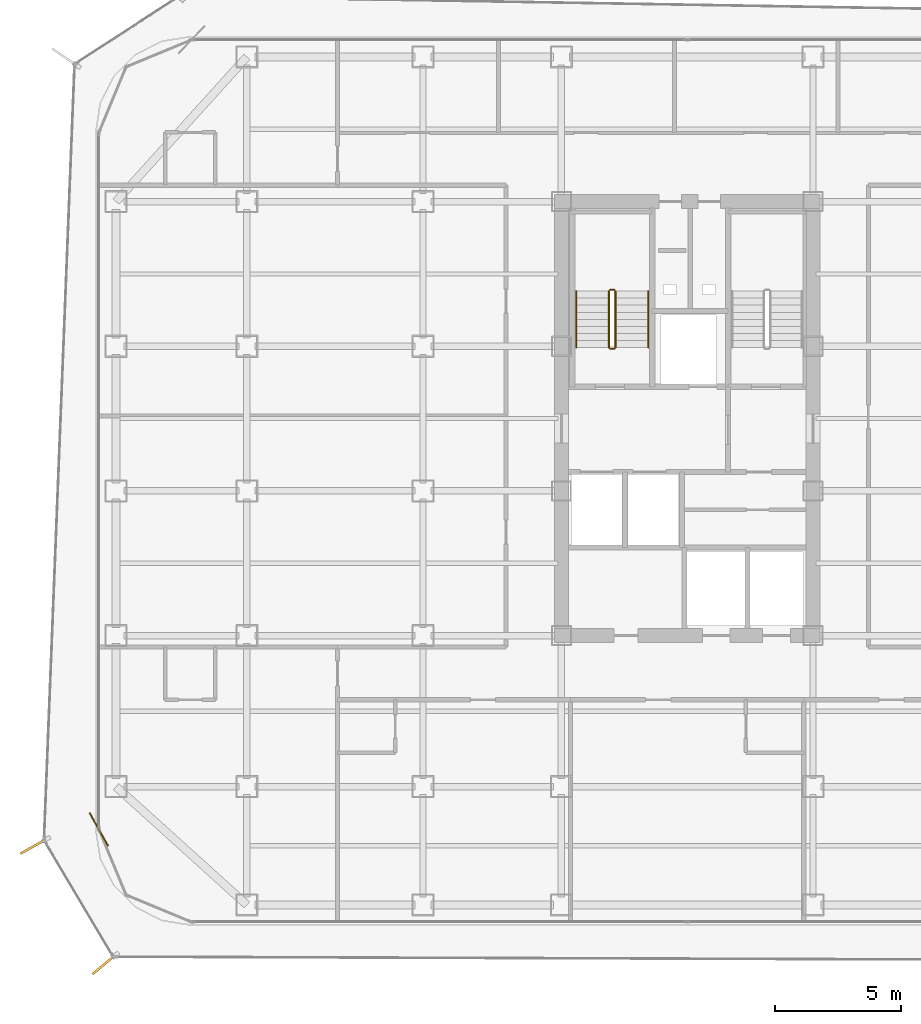
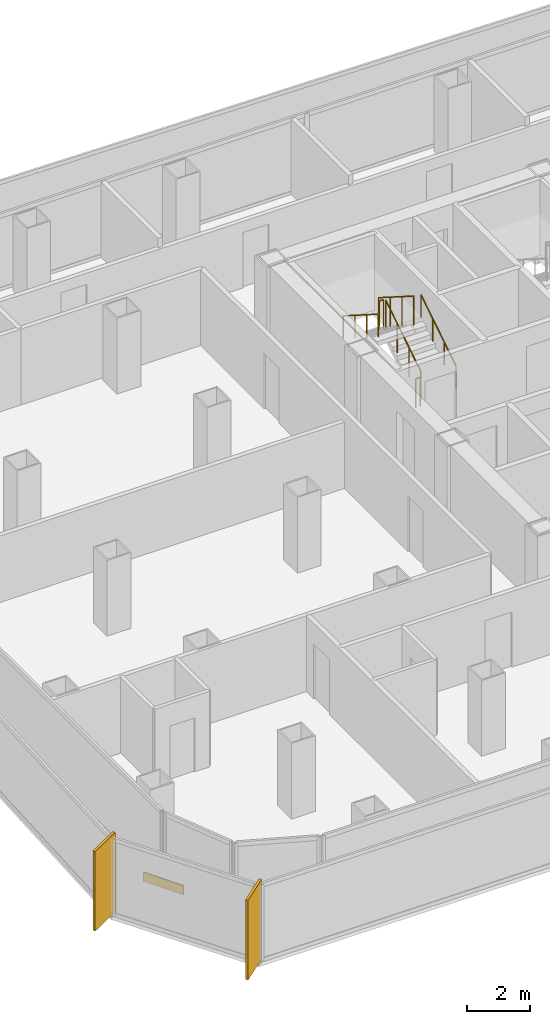
# One storey, part 19 of 21: 6 railings, 2 shading devices, 1 covering.
"""IFC4 building model written with IfcOpenShell, lengths in metres."""

from ifc_helpers import new_model, si_unit, direction, frame, origin, origin_2d, place, context, subcontext, project, spatial, rectangle, circle, extrude, source, transform, mapped, material, layer, layer_set, type_object, element, save


model = new_model("IFC4")

# Units and contexts
model_context = context("Model", 3, precision=1e-05, world=origin(), true_north=direction((0.0, 1.0)))
body_context = subcontext(model_context, "Body", "Model", "MODEL_VIEW")
ifc_project = project(units=[si_unit("LENGTHUNIT", "METRE"), si_unit("AREAUNIT", "SQUARE_METRE"), si_unit("VOLUMEUNIT", "CUBIC_METRE"), si_unit("PLANEANGLEUNIT", "RADIAN"), si_unit("MASSUNIT", "GRAM", prefix="KILO")], contexts=[model_context])

# Site, building, storey
site_placement = place(None, origin())
site = spatial("IfcSite", under=ifc_project, at=site_placement, CompositionType="ELEMENT")
building_placement = place(site_placement, origin())
building = spatial("IfcBuilding", under=site, at=building_placement, Name="Kolveth Station Tower", CompositionType="ELEMENT")
storey_placement = place(building_placement, frame((0.0, 0.0, 124.699951171875)))
storey = spatial("IfcBuildingStorey", under=building, at=storey_placement, Name="L34", CompositionType="ELEMENT", Elevation=124.699951171875)

# Railings
ifc_material_1 = material(Name="Painted Steel S355 balustrade", Category="steel")
railing_type_1 = type_object("IfcRailingType", Name="Guard_GR2", PredefinedType="BALUSTRADE", material=ifc_material_1)
railing_1_placement = place(storey_placement, frame((20.64990234375, 22.949951171875, 0.177734375)))
element("IfcRailing", 1, at=railing_1_placement, inside=storey, type_object=railing_type_1, Name="L34 ST1 stair guard 1", PredefinedType="BALUSTRADE", context=body_context, shape_type="SweptSolid", body=[
    extrude(circle(Radius=0.02392578125, at=origin_2d()), frame((0.0, 0.0, 1.1259765625), z_axis=(0.0, 0.84418770128, 0.536047689118), x_axis=(-1.0, 0.0, 0.0)), (0.0, 0.0, 1.0), 2.6533203125),
    extrude(circle(Radius=0.02099609375, at=origin_2d()), origin(), (0.0, 0.0, 1.0), 1.101806640625),
    extrude(circle(Radius=0.02099609375, at=origin_2d()), frame((0.0, 0.74658203125, 0.47412109375)), (0.0, 0.0, 1.0), 1.101806640625),
    extrude(circle(Radius=0.02099609375, at=origin_2d()), frame((0.0, 1.493408203125, 0.9482421875)), (0.0, 0.0, 1.0), 1.101806640625),
    extrude(circle(Radius=0.02099609375, at=origin_2d()), frame((0.0, 2.239990234375, 1.42236328125)), (0.0, 0.0, 1.0), 1.101806640625),
])
railing_2_placement = place(storey_placement, frame((20.60009765625, 25.239990234375, 1.60009765625)))
element("IfcRailing", 2, at=railing_2_placement, inside=storey, type_object=railing_type_1, Name="L34 ST1 stair guard 2", PredefinedType="BALUSTRADE", context=body_context, shape_type="SweptSolid", body=[
    extrude(circle(Radius=0.02392578125, at=origin_2d()), frame((0.0, 0.0, 1.1259765625), z_axis=(-1.0, 0.0, 0.0), x_axis=(0.0, -1.0, 0.0)), (0.0, 0.0, 1.0), 0.16015625),
    extrude(circle(Radius=0.02099609375, at=origin_2d()), origin(), (0.0, 0.0, 1.0), 1.101806640625),
    extrude(circle(Radius=0.02099609375, at=origin_2d()), frame((-0.16015625, 0.0, 0.0)), (0.0, 0.0, 1.0), 1.101806640625),
])
railing_3_placement = place(storey_placement, frame((20.389892578125, 25.18994140625, 1.77783203125)))
element("IfcRailing", 3, at=railing_3_placement, inside=storey, type_object=railing_type_1, Name="L34 ST1 stair guard 3", PredefinedType="BALUSTRADE", context=body_context, shape_type="SweptSolid", body=[
    extrude(circle(Radius=0.02392578125, at=origin_2d()), frame((0.0, 0.0, 1.1259765625), z_axis=(0.0, -0.8442293374, 0.53598211339), x_axis=(1.0, 0.0, 0.0)), (0.0, 0.0, 1.0), 2.6533203125),
    extrude(circle(Radius=0.02099609375, at=origin_2d()), origin(), (0.0, 0.0, 1.0), 1.101806640625),
    extrude(circle(Radius=0.02099609375, at=origin_2d()), frame((0.0, -0.74658203125, 0.47412109375)), (0.0, 0.0, 1.0), 1.101806640625),
    extrude(circle(Radius=0.02099609375, at=origin_2d()), frame((0.0, -1.493408203125, 0.947998046875)), (0.0, 0.0, 1.0), 1.101806640625),
    extrude(circle(Radius=0.02099609375, at=origin_2d()), frame((0.0, -2.239990234375, 1.422119140625)), (0.0, 0.0, 1.0), 1.101806640625),
])
railing_4_placement = place(storey_placement, frame((20.60009765625, 22.89990234375, 0.0)))
element("IfcRailing", 4, at=railing_4_placement, inside=storey, type_object=railing_type_1, Name="L34 ST1 stair guard 4", PredefinedType="BALUSTRADE", context=body_context, shape_type="SweptSolid", body=[
    extrude(circle(Radius=0.02392578125, at=origin_2d()), frame((0.0, 0.0, 1.1259765625), z_axis=(-1.0, 0.0, 0.0), x_axis=(0.0, -1.0, 0.0)), (0.0, 0.0, 1.0), 0.16015625),
    extrude(circle(Radius=0.02099609375, at=origin_2d()), origin(), (0.0, 0.0, 1.0), 1.101806640625),
    extrude(circle(Radius=0.02099609375, at=origin_2d()), frame((-0.16015625, 0.0, 0.0)), (0.0, 0.0, 1.0), 1.101806640625),
])
ifc_material_2 = material(Name="Brushed stainless steel", Category="steel")
railing_type_2 = type_object("IfcRailingType", Name="Handrail_HR1", PredefinedType="HANDRAIL", material=ifc_material_2)
railing_5_placement = place(storey_placement, frame((21.949951171875, 22.949951171875, 0.177734375)))
element("IfcRailing", 5, at=railing_5_placement, inside=storey, type_object=railing_type_2, Name="L34 ST1 stair handrail 1", PredefinedType="HANDRAIL", context=body_context, shape_type="SweptSolid", body=[
    extrude(circle(Radius=0.02392578125, at=origin_2d()), frame((0.0, 0.0, 0.8759765625), z_axis=(0.0, 0.84418770128, 0.536047689118), x_axis=(-1.0, 0.0, 0.0)), (0.0, 0.0, 1.0), 2.6533203125),
    extrude(circle(Radius=0.02099609375, at=origin_2d()), origin(), (0.0, 0.0, 1.0), 0.851806640625),
    extrude(circle(Radius=0.02099609375, at=origin_2d()), frame((0.0, 0.74658203125, 0.47412109375)), (0.0, 0.0, 1.0), 0.851806640625),
    extrude(circle(Radius=0.02099609375, at=origin_2d()), frame((0.0, 1.493408203125, 0.9482421875)), (0.0, 0.0, 1.0), 0.851806640625),
    extrude(circle(Radius=0.02099609375, at=origin_2d()), frame((0.0, 2.239990234375, 1.42236328125)), (0.0, 0.0, 1.0), 0.851806640625),
])
railing_6_placement = place(storey_placement, frame((19.090087890625, 25.18994140625, 1.77783203125)))
element("IfcRailing", 6, at=railing_6_placement, inside=storey, type_object=railing_type_2, Name="L34 ST1 stair handrail 2", PredefinedType="HANDRAIL", context=body_context, shape_type="SweptSolid", body=[
    extrude(circle(Radius=0.02392578125, at=origin_2d()), frame((0.0, 0.0, 0.8759765625), z_axis=(0.0, -0.8442293374, 0.53598211339), x_axis=(1.0, 0.0, 0.0)), (0.0, 0.0, 1.0), 2.6533203125),
    extrude(circle(Radius=0.02099609375, at=origin_2d()), origin(), (0.0, 0.0, 1.0), 0.851806640625),
    extrude(circle(Radius=0.02099609375, at=origin_2d()), frame((0.0, -0.74658203125, 0.47412109375)), (0.0, 0.0, 1.0), 0.851806640625),
    extrude(circle(Radius=0.02099609375, at=origin_2d()), frame((0.0, -1.493408203125, 0.947998046875)), (0.0, 0.0, 1.0), 0.851806640625),
    extrude(circle(Radius=0.02099609375, at=origin_2d()), frame((0.0, -2.239990234375, 1.422119140625)), (0.0, 0.0, 1.0), 0.851806640625),
])

# Shading devices
ifc_material_3 = material(Name="Black anodized aluminium 6063-T6", Category="aluminium")
shading_device_type = type_object("IfcShadingDeviceType", Name="FIN_VF1", PredefinedType="USERDEFINED", material=ifc_material_3)
shared_shape_1 = source(origin(), body_context, "Body", "SweptSolid", [
    extrude(rectangle(XDim=1.25, YDim=0.090087890625, at=origin_2d()), origin(), (0.0, 0.0, 1.0), 3.10009765625),
])
for number, where, z_axis, x_axis, name in (
    (7, (-2.447998046875, 3.14208984375, 0.0), (0.0, 0.0, 1.0), (-0.872836916401, -0.488012005351, 0.0), "L34 Dark-Aluminium Solar Fin 7"),
    (8, (0.347900390625, -1.553955078125, 0.0), (0.0, 0.0, 1.0), (-0.769733907611, -0.638364873308, 0.0), "L34 Dark-Aluminium Solar Fin 8"),
):
    element("IfcShadingDevice", number, at=place(storey_placement, frame(where, z_axis=z_axis, x_axis=x_axis)), inside=storey, type_object=shading_device_type, Name=name, ObjectType="FIN", PredefinedType="USERDEFINED", context=body_context, shape_type="MappedRepresentation", body=[
        mapped(shared_shape_1, transform((0.0, 0.0, 0.0), x_axis=(1.0, 0.0, 0.0), y_axis=(0.0, 1.0, 0.0), z_axis=(0.0, 0.0, 1.0), scale=1.0)),
    ])

# Covering
ifc_material_4 = material(Name="Charcoal anodized aluminium spandrel cladding", Category="aluminium")
ifc_layer = layer(ifc_material_4, 0.044921875)
ifc_layer_set = layer_set([ifc_layer], Name="Charcoal anodized aluminium spandrel cladding")
covering_type = type_object("IfcCoveringType", Name="Clad_CD1", PredefinedType="CLADDING", material=ifc_layer_set)
shared_shape_2 = source(origin(), body_context, "Body", "SweptSolid", [
    extrude(rectangle(XDim=1.5, YDim=0.044921875, at=origin_2d()), origin(), (0.0, 0.0, 1.0), 0.360107421875),
])
covering_placement = place(storey_placement, frame((0.1201171875, 3.800048828125, 0.0), z_axis=(0.0, 0.0, 1.0), x_axis=(0.488012005351, -0.872836916401, 0.0)))
element("IfcCovering", 9, at=covering_placement, inside=storey, type_object=covering_type, Name="L34 Spandrel Edge Cladding 7", PredefinedType="CLADDING", context=body_context, shape_type="MappedRepresentation", body=[
    mapped(shared_shape_2, transform((0.0, 0.0, 0.0), x_axis=(1.0, 0.0, 0.0), y_axis=(0.0, 1.0, 0.0), z_axis=(0.0, 0.0, 1.0), scale=1.0)),
])

save(model, "model.ifc")
